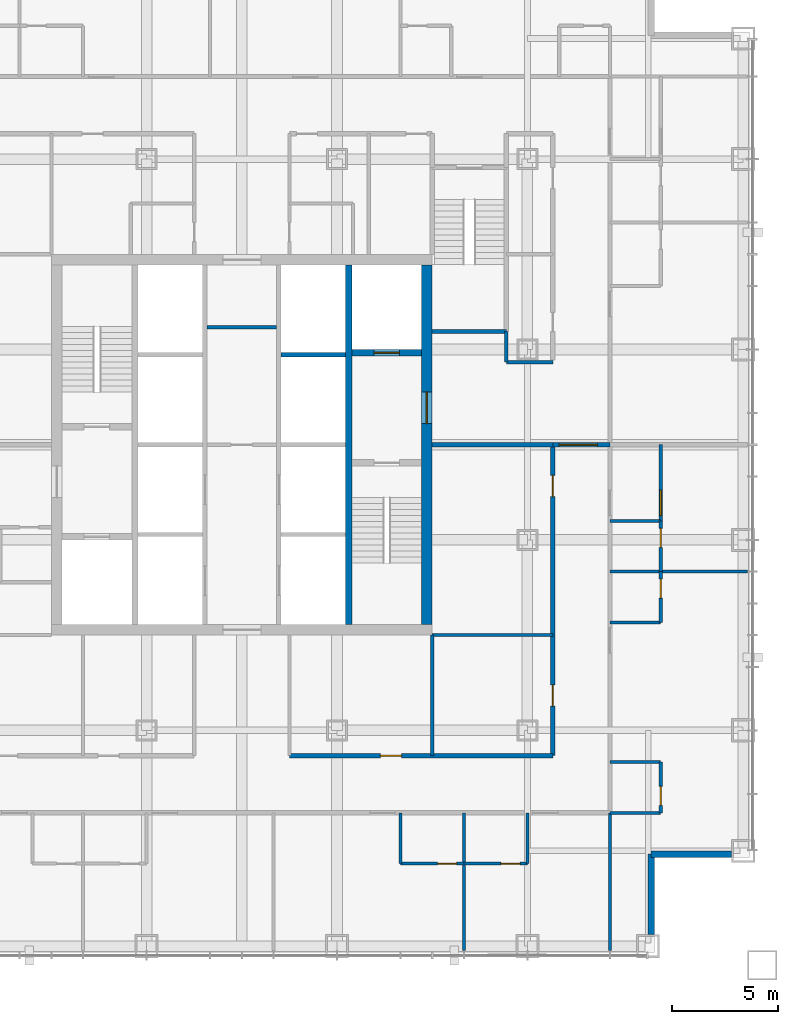
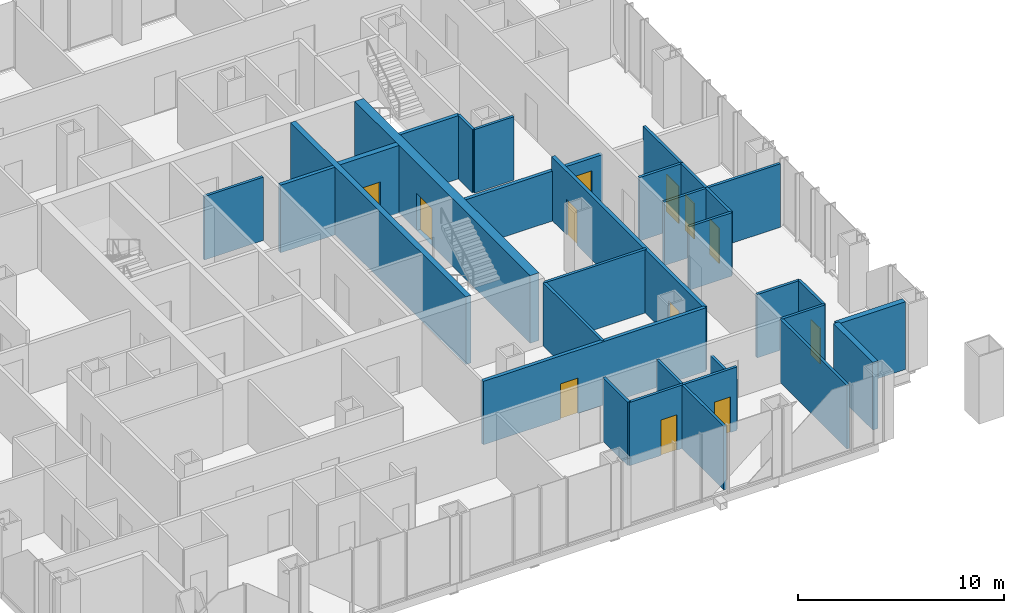
# One storey, part 10 of 14: 31 walls, 12 doors, 12 openings.
"""IFC4 building model written with IfcOpenShell, lengths in metres."""

from ifc_helpers import new_model, si_unit, direction, frame, frame_2d, origin, place, context, subcontext, project, spatial, rectangle, extrude, material, layer, layer_set, type_object, element, fill, save


model = new_model("IFC4")

# Units and contexts
model_context = context("Model", 3, precision=1e-05, world=origin(), true_north=direction((0.0, 1.0)))
body_context = subcontext(model_context, "Body", "Model", "MODEL_VIEW")
ifc_project = project(units=[si_unit("LENGTHUNIT", "METRE"), si_unit("AREAUNIT", "SQUARE_METRE"), si_unit("VOLUMEUNIT", "CUBIC_METRE"), si_unit("PLANEANGLEUNIT", "RADIAN"), si_unit("MASSUNIT", "GRAM", prefix="KILO")], contexts=[model_context])

# Site, building, storey
site_placement = place(None, origin())
site = spatial("IfcSite", under=ifc_project, at=site_placement, CompositionType="ELEMENT")
building_placement = place(site_placement, origin())
building = spatial("IfcBuilding", under=site, at=building_placement, Name="Malebo Sky Hospital", CompositionType="ELEMENT")
storey_placement = place(building_placement, frame((0.0, 0.0, 128.0)))
storey = spatial("IfcBuildingStorey", under=building, at=storey_placement, Name="L30", CompositionType="ELEMENT", Elevation=128.0)

# Walls
ifc_material_1 = material(Name="Concrete C80/95", Category="concrete")
ifc_layer_1 = layer(ifc_material_1, 0.199951171875)
ifc_layer_set_1 = layer_set([ifc_layer_1], Name="CORE INNER WALL 200")
wall_type_1 = type_object("IfcWallType", Name="CORE INNER WALL 200", PredefinedType="SHEAR", material=ifc_layer_set_1)
wall_1_placement = place(storey_placement, frame((61.85009765625, 66.25, 0.0), z_axis=(0.0, 0.0, 1.0), x_axis=(1.0, 0.0, 0.0)))
element("IfcWall", 1, at=wall_1_placement, inside=storey, type_object=wall_type_1, Name="Core wall SE2 L30", PredefinedType="SHEAR", context=body_context, shape_type="SweptSolid", body=[
    extrude(rectangle(XDim=3.0498046875, YDim=0.199951171875, at=frame_2d((1.52490234375, 0.0))), origin(), (0.0, 0.0, 1.0), 4.0),
])
ifc_layer_2 = layer(ifc_material_1, 0.300048828125)
ifc_layer_set_2 = layer_set([ifc_layer_2], Name="CORE INNER WALL 300")
wall_type_2 = type_object("IfcWallType", Name="CORE INNER WALL 300", PredefinedType="SHEAR", material=ifc_layer_set_2)
wall_2_placement = place(storey_placement, frame((65.050048828125, 53.5, 0.0), z_axis=(0.0, 0.0, 1.0), x_axis=(0.0, 1.0, 0.0)))
element("IfcWall", 2, at=wall_2_placement, inside=storey, type_object=wall_type_2, Name="Core wall XE L30", PredefinedType="SHEAR", context=body_context, shape_type="SweptSolid", body=[
    extrude(rectangle(XDim=17.0, YDim=0.300048828125, at=frame_2d((8.5, 0.0))), origin(), (0.0, 0.0, 1.0), 4.0),
])

# Wall, opening, door
wall_3_placement = place(storey_placement, frame((65.199951171875, 66.35009765625, 0.0), z_axis=(0.0, 0.0, 1.0), x_axis=(1.0, 0.0, 0.0)))
wall_3 = element("IfcWall", 3, at=wall_3_placement, inside=storey, type_object=wall_type_2, Name="Core wall E2 L30", PredefinedType="SHEAR", context=body_context, shape_type="SweptSolid", body=[
    extrude(rectangle(XDim=3.300048828125, YDim=0.300048828125, at=frame_2d((1.64990234375, 0.0))), origin(), (0.0, 0.0, 1.0), 4.0),
])
opening_1_placement = place(wall_3_placement, frame((1.050048828125, 0.0, 0.0)))
opening_1 = element("IfcOpeningElement", 4, at=opening_1_placement, cuts=wall_3, Name="Opening LD2", PredefinedType="OPENING", context=body_context, shape_type="SweptSolid", body=[
    extrude(rectangle(XDim=1.199951171875, YDim=2.199951171875, at=frame_2d((0.60009765625, 1.10009765625))), frame((0.0, 0.159912109375, 0.0), z_axis=(0.0, -1.0, 0.0), x_axis=(1.0, 0.0, 0.0)), (0.0, 0.0, 1.0), 0.320068359375),
])
ifc_material_2 = material(Name="Stainless steel sliding landing door", Category="steel")
door_type_1 = type_object("IfcDoorType", Name="FIRE-FIGHTING LIFT LANDING DOOR 1200", OperationType="SLIDING_TO_LEFT", PredefinedType="DOOR", material=ifc_material_2)
door_1_placement = place(opening_1_placement, origin())
door_1 = element("IfcDoor", 5, at=door_1_placement, inside=storey, type_object=door_type_1, Name="Lift FL2 landing door", OperationType="SLIDING_TO_LEFT", OverallHeight=2.199951171875, OverallWidth=1.199951171875, PredefinedType="DOOR", context=body_context, shape_type="SweptSolid", body=[
    extrude(rectangle(XDim=1.199951171875, YDim=2.199951171875, at=frame_2d((0.60009765625, 1.10009765625))), frame((0.0, 0.02490234375, 0.0), z_axis=(0.0, -1.0, 0.0), x_axis=(1.0, 0.0, 0.0)), (0.0, 0.0, 1.0), 0.050048828125),
])
fill(opening_1, door_1)

ifc_layer_3 = layer(ifc_material_1, 0.5)
ifc_layer_set_3 = layer_set([ifc_layer_3], Name="CORE WALL 500")
wall_type_3 = type_object("IfcWallType", Name="CORE WALL 500", PredefinedType="SHEAR", material=ifc_layer_set_3)
wall_4_placement = place(storey_placement, frame((68.75, 53.5, 0.0), z_axis=(0.0, 0.0, 1.0), x_axis=(0.0, 1.0, 0.0)))
wall_4 = element("IfcWall", 6, at=wall_4_placement, inside=storey, type_object=wall_type_3, Name="Core wall E L30", PredefinedType="SHEAR", context=body_context, shape_type="SweptSolid", body=[
    extrude(rectangle(XDim=17.0, YDim=0.5, at=frame_2d((8.5, 0.0))), origin(), (0.0, 0.0, 1.0), 4.0),
])
opening_2_placement = place(wall_4_placement, frame((9.5, 0.0, 0.0)))
opening_2 = element("IfcOpeningElement", 7, at=opening_2_placement, cuts=wall_4, Name="Opening D07", PredefinedType="OPENING", context=body_context, shape_type="SweptSolid", body=[
    extrude(rectangle(XDim=1.5, YDim=2.199951171875, at=frame_2d((0.75, 1.10009765625))), frame((0.0, 0.260009765625, 0.0), z_axis=(0.0, -1.0, 0.0), x_axis=(1.0, 0.0, 0.0)), (0.0, 0.0, 1.0), 0.52001953125),
])
ifc_material_3 = material(Name="Hardwood-faced door leaf in steel frame", Category="steel")
door_type_2 = type_object("IfcDoorType", Name="FIRE-FIGHTING LOBBY DOOR PAIR 1500", OperationType="DOUBLE_DOOR_SINGLE_SWING", PredefinedType="DOOR", material=ifc_material_3)
door_2_placement = place(opening_2_placement, origin())
door_2 = element("IfcDoor", 8, at=door_2_placement, inside=storey, type_object=door_type_2, Name="Fire-fighting lobby door east", OperationType="DOUBLE_DOOR_SINGLE_SWING", OverallHeight=2.199951171875, OverallWidth=1.5, PredefinedType="DOOR", context=body_context, shape_type="SweptSolid", body=[
    extrude(rectangle(XDim=1.5, YDim=2.199951171875, at=frame_2d((0.75, 1.10009765625))), frame((0.0, 0.02490234375, 0.0), z_axis=(0.0, -1.0, 0.0), x_axis=(1.0, 0.0, 0.0)), (0.0, 0.0, 1.0), 0.050048828125),
])
fill(opening_2, door_2)

ifc_material_4 = material(Name="Gypsum board on steel studs", Category="steel")
ifc_layer_4 = layer(ifc_material_4, 0.199951171875)
ifc_layer_set_4 = layer_set([ifc_layer_4], Name="CORRIDOR WALL 200")
wall_type_4 = type_object("IfcWallType", Name="CORRIDOR WALL 200", PredefinedType="PARTITIONING", material=ifc_layer_set_4)
wall_5_placement = place(storey_placement, frame((74.699951171875, 47.300048828125, 0.0), z_axis=(0.0, 0.0, 1.0), x_axis=(-1.0, 0.0, 0.0)))
wall_5 = element("IfcWall", 9, at=wall_5_placement, inside=storey, type_object=wall_type_4, Name="Corridor Wall 200 SCI1", PredefinedType="PARTITIONING", context=body_context, shape_type="SweptSolid", body=[
    extrude(rectangle(XDim=12.449951171875, YDim=0.199951171875, at=frame_2d((6.22509765625, 0.0))), origin(), (0.0, 0.0, 1.0), 3.75),
])
opening_3_placement = place(wall_5_placement, frame((7.14990234375, 0.0, 0.0)))
opening_3 = element("IfcOpeningElement", 10, at=opening_3_placement, cuts=wall_5, Name="Opening D03", PredefinedType="OPENING", context=body_context, shape_type="SweptSolid", body=[
    extrude(rectangle(XDim=1.0, YDim=2.10009765625, at=frame_2d((0.5, 1.050048828125))), frame((0.0, 0.10986328125, 0.0), z_axis=(0.0, -1.0, 0.0), x_axis=(1.0, 0.0, 0.0)), (0.0, 0.0, 1.0), 0.219970703125),
])
door_type_3 = type_object("IfcDoorType", Name="ROOM DOOR 1000", OperationType="SINGLE_SWING_LEFT", PredefinedType="DOOR", material=ifc_material_3)
door_3_placement = place(opening_3_placement, origin())
door_3 = element("IfcDoor", 11, at=door_3_placement, inside=storey, type_object=door_type_3, Name="Wound care room door", OperationType="SINGLE_SWING_LEFT", OverallHeight=2.10009765625, OverallWidth=1.0, PredefinedType="DOOR", context=body_context, shape_type="SweptSolid", body=[
    extrude(rectangle(XDim=1.0, YDim=2.10009765625, at=frame_2d((0.5, 1.050048828125))), frame((0.0, 0.02490234375, 0.0), z_axis=(0.0, -1.0, 0.0), x_axis=(1.0, 0.0, 0.0)), (0.0, 0.0, 1.0), 0.050048828125),
])
fill(opening_3, door_3)

# Wall, openings, doors
wall_6_placement = place(storey_placement, frame((74.699951171875, 62.0, 0.0), z_axis=(0.0, 0.0, 1.0), x_axis=(0.0, -1.0, 0.0)))
wall_6 = element("IfcWall", 12, at=wall_6_placement, inside=storey, type_object=wall_type_4, Name="Corridor Wall 200 ECI2", PredefinedType="PARTITIONING", context=body_context, shape_type="SweptSolid", body=[
    extrude(rectangle(XDim=14.699951171875, YDim=0.199951171875, at=frame_2d((7.35009765625, 0.0))), origin(), (0.0, 0.0, 1.0), 3.75),
])
opening_4_placement = place(wall_6_placement, frame((1.449951171875, 0.0, 0.0)))
opening_4 = element("IfcOpeningElement", 13, at=opening_4_placement, cuts=wall_6, Name="Opening D03", PredefinedType="OPENING", context=body_context, shape_type="SweptSolid", body=[
    extrude(rectangle(XDim=1.0, YDim=2.10009765625, at=frame_2d((0.5, 1.050048828125))), frame((0.0, 0.10986328125, 0.0), z_axis=(0.0, -1.0, 0.0), x_axis=(1.0, 0.0, 0.0)), (0.0, 0.0, 1.0), 0.219970703125),
])
opening_5_placement = place(wall_6_placement, frame((11.35009765625, 0.0, 0.0)))
opening_5 = element("IfcOpeningElement", 14, at=opening_5_placement, cuts=wall_6, Name="Opening D03", PredefinedType="OPENING", context=body_context, shape_type="SweptSolid", body=[
    extrude(rectangle(XDim=1.0, YDim=2.10009765625, at=frame_2d((0.5, 1.050048828125))), frame((0.0, 0.10986328125, 0.0), z_axis=(0.0, -1.0, 0.0), x_axis=(1.0, 0.0, 0.0)), (0.0, 0.0, 1.0), 0.219970703125),
])
door_4_placement = place(opening_4_placement, origin())
door_4 = element("IfcDoor", 15, at=door_4_placement, inside=storey, type_object=door_type_3, Name="Staff rest room door", OperationType="SINGLE_SWING_LEFT", OverallHeight=2.10009765625, OverallWidth=1.0, PredefinedType="DOOR", context=body_context, shape_type="SweptSolid", body=[
    extrude(rectangle(XDim=1.0, YDim=2.10009765625, at=frame_2d((0.5, 1.050048828125))), frame((0.0, 0.02490234375, 0.0), z_axis=(0.0, -1.0, 0.0), x_axis=(1.0, 0.0, 0.0)), (0.0, 0.0, 1.0), 0.050048828125),
])
fill(opening_4, door_4)
door_5_placement = place(opening_5_placement, origin())
door_5 = element("IfcDoor", 16, at=door_5_placement, inside=storey, type_object=door_type_3, Name="Interview room door", OperationType="SINGLE_SWING_RIGHT", OverallHeight=2.10009765625, OverallWidth=1.0, PredefinedType="DOOR", context=body_context, shape_type="SweptSolid", body=[
    extrude(rectangle(XDim=1.0, YDim=2.10009765625, at=frame_2d((0.5, 1.050048828125))), frame((0.0, 0.02490234375, 0.0), z_axis=(0.0, -1.0, 0.0), x_axis=(1.0, 0.0, 0.0)), (0.0, 0.0, 1.0), 0.050048828125),
])
fill(opening_5, door_5)

# Walls
ifc_material_5 = material(Name="Anodised aluminium rainscreen on steel framing", Category="steel")
ifc_layer_5 = layer(ifc_material_5, 0.300048828125)
ifc_layer_set_5 = layer_set([ifc_layer_5], Name="NOTCH RAINSCREEN WALL 300")
wall_type_5 = type_object("IfcWallType", Name="NOTCH RAINSCREEN WALL 300", PredefinedType="ELEMENTEDWALL", material=ifc_layer_set_5)
for number, where, z_axis, x_axis, name in (
    (17, (83.14990234375, 42.64990234375, 0.0), (0.0, 0.0, 1.0), (-1.0, 0.0, 0.0), "Notch rainscreen wall E1 L30"),
    (18, (79.35009765625, 42.64990234375, 0.0), (0.0, 0.0, 1.0), (0.0, -1.0, 0.0), "Notch rainscreen wall E2 L30"),
):
    element("IfcWall", number, at=place(storey_placement, frame(where, z_axis=z_axis, x_axis=x_axis)), inside=storey, type_object=wall_type_5, Name=name, PredefinedType="ELEMENTEDWALL", context=body_context, shape_type="SweptSolid", body=[
        extrude(rectangle(XDim=3.7998046875, YDim=0.300048828125, at=frame_2d((1.89990234375, 0.0))), origin(), (0.0, 0.0, 1.0), 4.0),
    ])
ifc_layer_6 = layer(ifc_material_4, 0.14990234375)
ifc_layer_set_6 = layer_set([ifc_layer_6], Name="PARTITION 150")
wall_type_6 = type_object("IfcWallType", Name="PARTITION 150", PredefinedType="PARTITIONING", material=ifc_layer_set_6)
for number, where, z_axis, x_axis, name in (
    (19, (70.5, 44.60009765625, 0.0), (0.0, 0.0, 1.0), (0.0, -1.0, 0.0), "Partition 150 SP-10.5"),
    (20, (77.39990234375, 44.60009765625, 0.0), (0.0, 0.0, 1.0), (0.0, -1.0, 0.0), "Partition 150 SP0"),
):
    element("IfcWall", number, at=place(storey_placement, frame(where, z_axis=z_axis, x_axis=x_axis)), inside=storey, type_object=wall_type_6, Name=name, PredefinedType="PARTITIONING", context=body_context, shape_type="SweptSolid", body=[
        extrude(rectangle(XDim=6.510009765625, YDim=0.14990234375, at=frame_2d((3.2548828125, 0.0))), origin(), (0.0, 0.0, 1.0), 3.75),
    ])

# Wall, opening, door
wall_7_placement = place(storey_placement, frame((73.5, 42.199951171875, 0.0), z_axis=(0.0, 0.0, 1.0), x_axis=(-1.0, 0.0, 0.0)))
wall_7 = element("IfcWall", 21, at=wall_7_placement, inside=storey, type_object=wall_type_6, Name="Partition 150 SE0F", PredefinedType="PARTITIONING", context=body_context, shape_type="SweptSolid", body=[
    extrude(rectangle(XDim=3.0, YDim=0.14990234375, at=frame_2d((1.5, 0.0))), origin(), (0.0, 0.0, 1.0), 3.75),
])
opening_6_placement = place(wall_7_placement, frame((0.35009765625, 0.0, 0.0)))
opening_6 = element("IfcOpeningElement", 22, at=opening_6_placement, cuts=wall_7, Name="Opening D02", PredefinedType="OPENING", context=body_context, shape_type="SweptSolid", body=[
    extrude(rectangle(XDim=0.89990234375, YDim=2.10009765625, at=frame_2d((0.449951171875, 1.050048828125))), frame((0.0, 0.0849609375, 0.0), z_axis=(0.0, -1.0, 0.0), x_axis=(1.0, 0.0, 0.0)), (0.0, 0.0, 1.0), 0.169921875),
])
door_type_4 = type_object("IfcDoorType", Name="EN-SUITE DOOR 900", OperationType="SINGLE_SWING_LEFT", PredefinedType="DOOR", material=ifc_material_3)
door_6_placement = place(opening_6_placement, origin())
door_6 = element("IfcDoor", 23, at=door_6_placement, inside=storey, type_object=door_type_4, Name="En-suite door", OperationType="SINGLE_SWING_LEFT", OverallHeight=2.10009765625, OverallWidth=0.89990234375, PredefinedType="DOOR", context=body_context, shape_type="SweptSolid", body=[
    extrude(rectangle(XDim=0.89990234375, YDim=2.10009765625, at=frame_2d((0.449951171875, 1.050048828125))), frame((0.0, 0.02490234375, 0.0), z_axis=(0.0, -1.0, 0.0), x_axis=(1.0, 0.0, 0.0)), (0.0, 0.0, 1.0), 0.050048828125),
])
fill(opening_6, door_6)

# Wall
wall_8_placement = place(storey_placement, frame((73.5, 44.60009765625, 0.0), z_axis=(0.0, 0.0, 1.0), x_axis=(0.0, -1.0, 0.0)))
element("IfcWall", 24, at=wall_8_placement, inside=storey, type_object=wall_type_6, Name="Partition 150 SE0S", PredefinedType="PARTITIONING", context=body_context, shape_type="SweptSolid", body=[
    extrude(rectangle(XDim=2.400146484375, YDim=0.14990234375, at=frame_2d((1.2001953125, 0.0))), origin(), (0.0, 0.0, 1.0), 2.949951171875),
])

# Wall, opening, door
wall_9_placement = place(storey_placement, frame((70.5, 42.199951171875, 0.0), z_axis=(0.0, 0.0, 1.0), x_axis=(-1.0, 0.0, 0.0)))
wall_9 = element("IfcWall", 25, at=wall_9_placement, inside=storey, type_object=wall_type_6, Name="Partition 150 SE1F", PredefinedType="PARTITIONING", context=body_context, shape_type="SweptSolid", body=[
    extrude(rectangle(XDim=3.0, YDim=0.14990234375, at=frame_2d((1.5, 0.0))), origin(), (0.0, 0.0, 1.0), 3.75),
])
opening_7_placement = place(wall_9_placement, frame((0.35009765625, 0.0, 0.0)))
opening_7 = element("IfcOpeningElement", 26, at=opening_7_placement, cuts=wall_9, Name="Opening D02", PredefinedType="OPENING", context=body_context, shape_type="SweptSolid", body=[
    extrude(rectangle(XDim=0.89990234375, YDim=2.10009765625, at=frame_2d((0.449951171875, 1.050048828125))), frame((0.0, 0.0849609375, 0.0), z_axis=(0.0, -1.0, 0.0), x_axis=(1.0, 0.0, 0.0)), (0.0, 0.0, 1.0), 0.169921875),
])
door_7_placement = place(opening_7_placement, origin())
door_7 = element("IfcDoor", 27, at=door_7_placement, inside=storey, type_object=door_type_4, Name="En-suite door", OperationType="SINGLE_SWING_LEFT", OverallHeight=2.10009765625, OverallWidth=0.89990234375, PredefinedType="DOOR", context=body_context, shape_type="SweptSolid", body=[
    extrude(rectangle(XDim=0.89990234375, YDim=2.10009765625, at=frame_2d((0.449951171875, 1.050048828125))), frame((0.0, 0.02490234375, 0.0), z_axis=(0.0, -1.0, 0.0), x_axis=(1.0, 0.0, 0.0)), (0.0, 0.0, 1.0), 0.050048828125),
])
fill(opening_7, door_7)

# Walls
wall_10_placement = place(storey_placement, frame((67.5, 44.60009765625, 0.0), z_axis=(0.0, 0.0, 1.0), x_axis=(0.0, -1.0, 0.0)))
element("IfcWall", 28, at=wall_10_placement, inside=storey, type_object=wall_type_6, Name="Partition 150 SE1S", PredefinedType="PARTITIONING", context=body_context, shape_type="SweptSolid", body=[
    extrude(rectangle(XDim=2.400146484375, YDim=0.14990234375, at=frame_2d((1.2001953125, 0.0))), origin(), (0.0, 0.0, 1.0), 3.75),
])
wall_11_placement = place(storey_placement, frame((69.0, 53.0, 0.0), z_axis=(0.0, 0.0, 1.0), x_axis=(0.0, -1.0, 0.0)))
element("IfcWall", 29, at=wall_11_placement, inside=storey, type_object=wall_type_6, Name="Partition 150 SSP0", PredefinedType="PARTITIONING", context=body_context, shape_type="SweptSolid", body=[
    extrude(rectangle(XDim=5.699951171875, YDim=0.14990234375, at=frame_2d((2.85009765625, 0.0))), origin(), (0.0, 0.0, 1.0), 3.75),
])
wall_12_placement = place(storey_placement, frame((77.39990234375, 56.0, 0.0), z_axis=(0.0, 0.0, 1.0), x_axis=(1.0, 0.0, 0.0)))
element("IfcWall", 30, at=wall_12_placement, inside=storey, type_object=wall_type_6, Name="Partition 150 EP+6.0", PredefinedType="PARTITIONING", context=body_context, shape_type="SweptSolid", body=[
    extrude(rectangle(XDim=6.510009765625, YDim=0.14990234375, at=frame_2d((3.2548828125, 0.0))), origin(), (0.0, 0.0, 1.0), 3.75),
])

# Wall, opening, door
wall_13_placement = place(storey_placement, frame((79.800048828125, 58.39990234375, 0.0), z_axis=(0.0, 0.0, 1.0), x_axis=(0.0, -1.0, 0.0)))
wall_13 = element("IfcWall", 31, at=wall_13_placement, inside=storey, type_object=wall_type_6, Name="Partition 150 EE2F", PredefinedType="PARTITIONING", context=body_context, shape_type="SweptSolid", body=[
    extrude(rectangle(XDim=2.39990234375, YDim=0.14990234375, at=frame_2d((1.199951171875, 0.0))), origin(), (0.0, 0.0, 1.0), 3.75),
])
opening_8_placement = place(wall_13_placement, frame((0.35009765625, 0.0, 0.0)))
opening_8 = element("IfcOpeningElement", 32, at=opening_8_placement, cuts=wall_13, Name="Opening D02", PredefinedType="OPENING", context=body_context, shape_type="SweptSolid", body=[
    extrude(rectangle(XDim=0.89990234375, YDim=2.10009765625, at=frame_2d((0.449951171875, 1.050048828125))), frame((0.0, 0.0849609375, 0.0), z_axis=(0.0, -1.0, 0.0), x_axis=(1.0, 0.0, 0.0)), (0.0, 0.0, 1.0), 0.169921875),
])
door_8_placement = place(opening_8_placement, origin())
door_8 = element("IfcDoor", 33, at=door_8_placement, inside=storey, type_object=door_type_4, Name="En-suite door", OperationType="SINGLE_SWING_LEFT", OverallHeight=2.10009765625, OverallWidth=0.89990234375, PredefinedType="DOOR", context=body_context, shape_type="SweptSolid", body=[
    extrude(rectangle(XDim=0.89990234375, YDim=2.10009765625, at=frame_2d((0.449951171875, 1.050048828125))), frame((0.0, 0.02490234375, 0.0), z_axis=(0.0, -1.0, 0.0), x_axis=(1.0, 0.0, 0.0)), (0.0, 0.0, 1.0), 0.050048828125),
])
fill(opening_8, door_8)

# Wall
wall_14_placement = place(storey_placement, frame((77.39990234375, 58.39990234375, 0.0), z_axis=(0.0, 0.0, 1.0), x_axis=(1.0, 0.0, 0.0)))
element("IfcWall", 34, at=wall_14_placement, inside=storey, type_object=wall_type_6, Name="Partition 150 EE2S", PredefinedType="PARTITIONING", context=body_context, shape_type="SweptSolid", body=[
    extrude(rectangle(XDim=2.400146484375, YDim=0.14990234375, at=frame_2d((1.2001953125, 0.0))), origin(), (0.0, 0.0, 1.0), 3.75),
])

# Wall, opening, door
wall_15_placement = place(storey_placement, frame((79.800048828125, 56.0, 0.0), z_axis=(0.0, 0.0, 1.0), x_axis=(0.0, -1.0, 0.0)))
wall_15 = element("IfcWall", 35, at=wall_15_placement, inside=storey, type_object=wall_type_6, Name="Partition 150 EE3F", PredefinedType="PARTITIONING", context=body_context, shape_type="SweptSolid", body=[
    extrude(rectangle(XDim=2.39990234375, YDim=0.14990234375, at=frame_2d((1.199951171875, 0.0))), origin(), (0.0, 0.0, 1.0), 3.75),
])
opening_9_placement = place(wall_15_placement, frame((0.35009765625, 0.0, 0.0)))
opening_9 = element("IfcOpeningElement", 36, at=opening_9_placement, cuts=wall_15, Name="Opening D02", PredefinedType="OPENING", context=body_context, shape_type="SweptSolid", body=[
    extrude(rectangle(XDim=0.89990234375, YDim=2.10009765625, at=frame_2d((0.449951171875, 1.050048828125))), frame((0.0, 0.0849609375, 0.0), z_axis=(0.0, -1.0, 0.0), x_axis=(1.0, 0.0, 0.0)), (0.0, 0.0, 1.0), 0.169921875),
])
door_9_placement = place(opening_9_placement, origin())
door_9 = element("IfcDoor", 37, at=door_9_placement, inside=storey, type_object=door_type_4, Name="En-suite door", OperationType="SINGLE_SWING_LEFT", OverallHeight=2.10009765625, OverallWidth=0.89990234375, PredefinedType="DOOR", context=body_context, shape_type="SweptSolid", body=[
    extrude(rectangle(XDim=0.89990234375, YDim=2.10009765625, at=frame_2d((0.449951171875, 1.050048828125))), frame((0.0, 0.02490234375, 0.0), z_axis=(0.0, -1.0, 0.0), x_axis=(1.0, 0.0, 0.0)), (0.0, 0.0, 1.0), 0.050048828125),
])
fill(opening_9, door_9)

# Wall
wall_16_placement = place(storey_placement, frame((77.39990234375, 53.60009765625, 0.0), z_axis=(0.0, 0.0, 1.0), x_axis=(1.0, 0.0, 0.0)))
element("IfcWall", 38, at=wall_16_placement, inside=storey, type_object=wall_type_6, Name="Partition 150 EE3S", PredefinedType="PARTITIONING", context=body_context, shape_type="SweptSolid", body=[
    extrude(rectangle(XDim=2.400146484375, YDim=0.14990234375, at=frame_2d((1.2001953125, 0.0))), origin(), (0.0, 0.0, 1.0), 3.75),
])

# Wall, opening, door
wall_17_placement = place(storey_placement, frame((79.800048828125, 47.0, 0.0), z_axis=(0.0, 0.0, 1.0), x_axis=(0.0, -1.0, 0.0)))
wall_17 = element("IfcWall", 39, at=wall_17_placement, inside=storey, type_object=wall_type_6, Name="Partition 150 EG3F", PredefinedType="PARTITIONING", context=body_context, shape_type="SweptSolid", body=[
    extrude(rectangle(XDim=2.39990234375, YDim=0.14990234375, at=frame_2d((1.199951171875, 0.0))), origin(), (0.0, 0.0, 1.0), 3.75),
])
opening_10_placement = place(wall_17_placement, frame((1.14990234375, 0.0, 0.0)))
opening_10 = element("IfcOpeningElement", 40, at=opening_10_placement, cuts=wall_17, Name="Opening D02", PredefinedType="OPENING", context=body_context, shape_type="SweptSolid", body=[
    extrude(rectangle(XDim=0.89990234375, YDim=2.10009765625, at=frame_2d((0.449951171875, 1.050048828125))), frame((0.0, 0.0849609375, 0.0), z_axis=(0.0, -1.0, 0.0), x_axis=(1.0, 0.0, 0.0)), (0.0, 0.0, 1.0), 0.169921875),
])
door_10_placement = place(opening_10_placement, origin())
door_10 = element("IfcDoor", 41, at=door_10_placement, inside=storey, type_object=door_type_4, Name="En-suite door", OperationType="SINGLE_SWING_RIGHT", OverallHeight=2.10009765625, OverallWidth=0.89990234375, PredefinedType="DOOR", context=body_context, shape_type="SweptSolid", body=[
    extrude(rectangle(XDim=0.89990234375, YDim=2.10009765625, at=frame_2d((0.449951171875, 1.050048828125))), frame((0.0, 0.02490234375, 0.0), z_axis=(0.0, -1.0, 0.0), x_axis=(1.0, 0.0, 0.0)), (0.0, 0.0, 1.0), 0.050048828125),
])
fill(opening_10, door_10)

# Walls
for number, where, z_axis, x_axis, name in (
    (42, (77.39990234375, 47.0, 0.0), (0.0, 0.0, 1.0), (1.0, 0.0, 0.0), "Partition 150 EG3S"),
    (43, (77.39990234375, 44.60009765625, 0.0), (0.0, 0.0, 1.0), (1.0, 0.0, 0.0), "Partition 150 EEZ"),
):
    element("IfcWall", number, at=place(storey_placement, frame(where, z_axis=z_axis, x_axis=x_axis)), inside=storey, type_object=wall_type_6, Name=name, PredefinedType="PARTITIONING", context=body_context, shape_type="SweptSolid", body=[
        extrude(rectangle(XDim=2.400146484375, YDim=0.14990234375, at=frame_2d((1.2001953125, 0.0))), origin(), (0.0, 0.0, 1.0), 3.75),
    ])
wall_18_placement = place(storey_placement, frame((72.5, 65.89990234375, 0.0), z_axis=(0.0, 0.0, 1.0), x_axis=(1.0, 0.0, 0.0)))
element("IfcWall", 44, at=wall_18_placement, inside=storey, type_object=wall_type_6, Name="Partition 150 ESPA", PredefinedType="PARTITIONING", context=body_context, shape_type="SweptSolid", body=[
    extrude(rectangle(XDim=2.199951171875, YDim=0.14990234375, at=frame_2d((1.10009765625, 0.0))), origin(), (0.0, 0.0, 1.0), 3.75),
])
wall_19_placement = place(storey_placement, frame((69.0, 53.0, 0.0), z_axis=(0.0, 0.0, 1.0), x_axis=(1.0, 0.0, 0.0)))
element("IfcWall", 45, at=wall_19_placement, inside=storey, type_object=wall_type_6, Name="Partition 150 ESP+9.0", PredefinedType="PARTITIONING", context=body_context, shape_type="SweptSolid", body=[
    extrude(rectangle(XDim=5.699951171875, YDim=0.14990234375, at=frame_2d((2.85009765625, 0.0))), origin(), (0.0, 0.0, 1.0), 3.75),
])
wall_20_placement = place(storey_placement, frame((58.35009765625, 67.55126953125, 0.0), z_axis=(0.0, 0.0, 1.0), x_axis=(1.0, 0.0, 0.0)))
element("IfcWall", 46, at=wall_20_placement, inside=storey, type_object=wall_type_6, Name="Partition 150 LBN1", PredefinedType="PARTITIONING", context=body_context, shape_type="SweptSolid", body=[
    extrude(rectangle(XDim=3.2998046875, YDim=0.14990234375, at=frame_2d((1.64990234375, 0.0))), origin(), (0.0, 0.0, 1.0), 3.75),
])
wall_21_placement = place(storey_placement, frame((72.5, 65.89990234375, 0.0), z_axis=(0.0, 0.0, 1.0), x_axis=(0.0, 1.0, 0.0)))
element("IfcWall", 47, at=wall_21_placement, inside=storey, type_object=wall_type_6, Name="Partition 150 ST3C", PredefinedType="PARTITIONING", context=body_context, shape_type="SweptSolid", body=[
    extrude(rectangle(XDim=1.4501953125, YDim=0.14990234375, at=frame_2d((0.72509765625, 0.0))), origin(), (0.0, 0.0, 1.0), 3.75),
])

# Wall, opening, door
ifc_material_6 = material(Name="Sealed gypsum board on steel studs, taped to the slab", Category="steel")
ifc_layer_7 = layer(ifc_material_6, 0.14990234375)
ifc_layer_set_7 = layer_set([ifc_layer_7], Name="SEALED ISOLATION PARTITION 150")
wall_type_7 = type_object("IfcWallType", Name="SEALED ISOLATION PARTITION 150", PredefinedType="PARTITIONING", material=ifc_layer_set_7)
wall_22_placement = place(storey_placement, frame((79.800048828125, 62.0, 0.0), z_axis=(0.0, 0.0, 1.0), x_axis=(0.0, -1.0, 0.0)))
wall_22 = element("IfcWall", 48, at=wall_22_placement, inside=storey, type_object=wall_type_7, Name="Sealed Isolation Partition 150 EA2F", PredefinedType="PARTITIONING", context=body_context, shape_type="SweptSolid", body=[
    extrude(rectangle(XDim=3.60009765625, YDim=0.14990234375, at=frame_2d((1.800048828125, 0.0))), origin(), (0.0, 0.0, 1.0), 3.75),
])
opening_11_placement = place(wall_22_placement, frame((2.14990234375, 0.0, 0.0)))
opening_11 = element("IfcOpeningElement", 49, at=opening_11_placement, cuts=wall_22, Name="Opening D19", PredefinedType="OPENING", context=body_context, shape_type="SweptSolid", body=[
    extrude(rectangle(XDim=1.199951171875, YDim=2.199951171875, at=frame_2d((0.60009765625, 1.10009765625))), frame((0.0, 0.0849609375, 0.0), z_axis=(0.0, -1.0, 0.0), x_axis=(1.0, 0.0, 0.0)), (0.0, 0.0, 1.0), 0.169921875),
])
ifc_material_7 = material(Name="Hardwood-faced door leaf with perimeter seals in steel frame", Category="steel")
door_type_5 = type_object("IfcDoorType", Name="SEALED ISOLATION ROOM DOOR 1200", OperationType="SINGLE_SWING_LEFT", PredefinedType="DOOR", material=ifc_material_7)
door_11_placement = place(opening_11_placement, origin())
door_11 = element("IfcDoor", 50, at=door_11_placement, inside=storey, type_object=door_type_5, Name="Isolation room door", OperationType="SINGLE_SWING_RIGHT", OverallHeight=2.199951171875, OverallWidth=1.199951171875, PredefinedType="DOOR", context=body_context, shape_type="SweptSolid", body=[
    extrude(rectangle(XDim=1.199951171875, YDim=2.199951171875, at=frame_2d((0.60009765625, 1.10009765625))), frame((0.0, 0.02490234375, 0.0), z_axis=(0.0, -1.0, 0.0), x_axis=(1.0, 0.0, 0.0)), (0.0, 0.0, 1.0), 0.050048828125),
])
fill(opening_11, door_11)

# Wall
ifc_material_8 = material(Name="Concrete blockwork", Category="masonry")
ifc_layer_8 = layer(ifc_material_8, 0.199951171875)
ifc_layer_set_8 = layer_set([ifc_layer_8], Name="SMOKE BARRIER WALL 200")
wall_type_8 = type_object("IfcWallType", Name="SMOKE BARRIER WALL 200", PredefinedType="SOLIDWALL", material=ifc_layer_set_8)
wall_23_placement = place(storey_placement, frame((69.0, 62.0, 0.0), z_axis=(0.0, 0.0, 1.0), x_axis=(1.0, 0.0, 0.0)))
element("IfcWall", 51, at=wall_23_placement, inside=storey, type_object=wall_type_8, Name="Smoke Barrier Wall 200 ESPB", PredefinedType="SOLIDWALL", context=body_context, shape_type="SweptSolid", body=[
    extrude(rectangle(XDim=5.699951171875, YDim=0.199951171875, at=frame_2d((2.85009765625, 0.0))), origin(), (0.0, 0.0, 1.0), 2.949951171875),
])

# Wall, opening, door
wall_24_placement = place(storey_placement, frame((74.699951171875, 62.0, 0.0), z_axis=(0.0, 0.0, 1.0), x_axis=(1.0, 0.0, 0.0)))
wall_24 = element("IfcWall", 52, at=wall_24_placement, inside=storey, type_object=wall_type_8, Name="Smoke Barrier Wall 200 ESB", PredefinedType="SOLIDWALL", context=body_context, shape_type="SweptSolid", body=[
    extrude(rectangle(XDim=2.699951171875, YDim=0.199951171875, at=frame_2d((1.35009765625, 0.0))), origin(), (0.0, 0.0, 1.0), 2.949951171875),
])
opening_12_placement = place(wall_24_placement, frame((0.300048828125, 0.0, 0.0)))
opening_12 = element("IfcOpeningElement", 53, at=opening_12_placement, cuts=wall_24, Name="Opening D05", PredefinedType="OPENING", context=body_context, shape_type="SweptSolid", body=[
    extrude(rectangle(XDim=1.800048828125, YDim=2.199951171875, at=frame_2d((0.89990234375, 1.10009765625))), frame((0.0, 0.10986328125, 0.0), z_axis=(0.0, -1.0, 0.0), x_axis=(1.0, 0.0, 0.0)), (0.0, 0.0, 1.0), 0.219970703125),
])
door_type_6 = type_object("IfcDoorType", Name="SMOKE DOOR PAIR 1800", OperationType="DOUBLE_DOOR_DOUBLE_SWING", PredefinedType="DOOR", material=ifc_material_3)
door_12_placement = place(opening_12_placement, origin())
door_12 = element("IfcDoor", 54, at=door_12_placement, inside=storey, type_object=door_type_6, Name="Smoke compartment door pair", OperationType="DOUBLE_DOOR_DOUBLE_SWING", OverallHeight=2.199951171875, OverallWidth=1.800048828125, PredefinedType="DOOR", context=body_context, shape_type="SweptSolid", body=[
    extrude(rectangle(XDim=1.800048828125, YDim=2.199951171875, at=frame_2d((0.89990234375, 1.10009765625))), frame((0.0, 0.02490234375, 0.0), z_axis=(0.0, -1.0, 0.0), x_axis=(1.0, 0.0, 0.0)), (0.0, 0.0, 1.0), 0.050048828125),
])
fill(opening_12, door_12)

# Wall
ifc_material_9 = material(Name="Concrete C40/50", Category="concrete")
ifc_layer_9 = layer(ifc_material_9, 0.199951171875)
ifc_layer_set_9 = layer_set([ifc_layer_9], Name="STAIR ENCLOSURE WALL 200")
wall_type_9 = type_object("IfcWallType", Name="STAIR ENCLOSURE WALL 200", PredefinedType="SOLIDWALL", material=ifc_layer_set_9)
wall_25_placement = place(storey_placement, frame((69.0, 67.35009765625, 0.0), z_axis=(0.0, 0.0, 1.0), x_axis=(1.0, 0.0, 0.0)))
element("IfcWall", 55, at=wall_25_placement, inside=storey, type_object=wall_type_9, Name="Stair Enclosure Wall 200 ST3S", PredefinedType="SOLIDWALL", context=body_context, shape_type="SweptSolid", body=[
    extrude(rectangle(XDim=3.5, YDim=0.199951171875, at=frame_2d((1.75, 0.0))), origin(), (0.0, 0.0, 1.0), 3.75),
])

save(model, "model.ifc")
